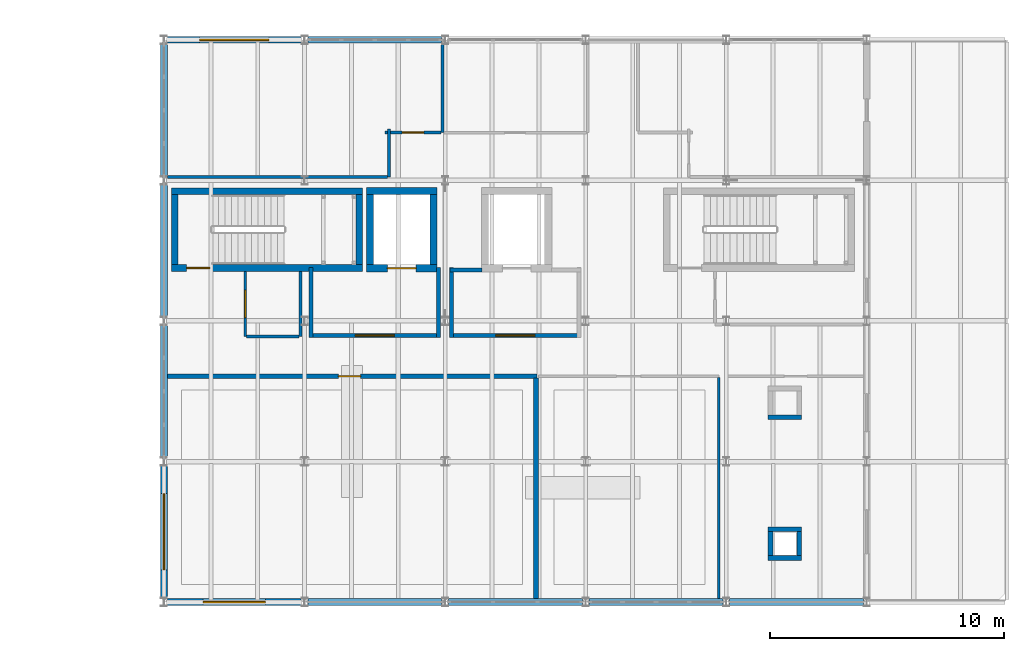
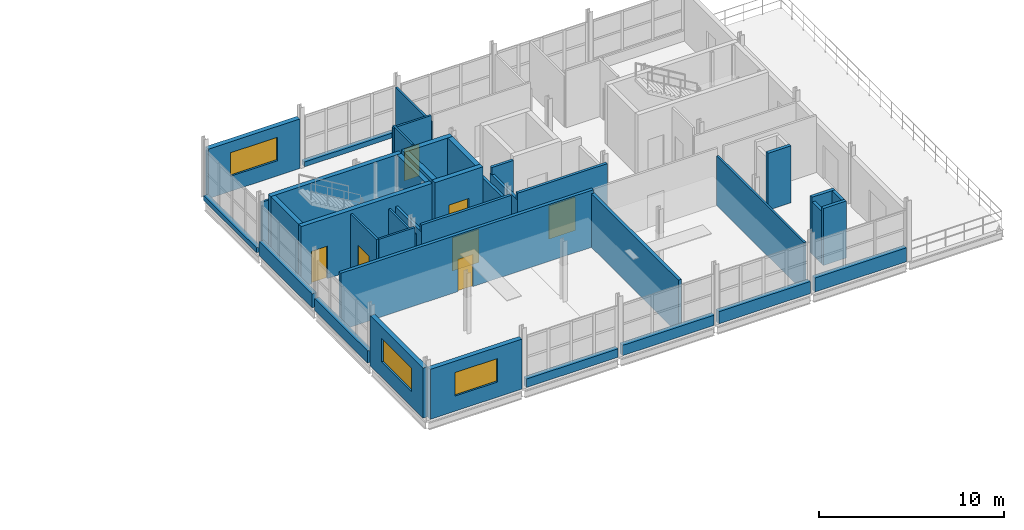
# One storey, part 18 of 23: 40 walls, 7 doors, 3 windows, 10 openings.
"""IFC4 building model written with IfcOpenShell, lengths in metres."""

from ifc_helpers import new_model, si_unit, direction, frame, frame_2d, origin, place, context, subcontext, project, spatial, rectangle, extrude, material, layer, layer_set, type_object, element, fill, save


model = new_model("IFC4")

# Units and contexts
model_context = context("Model", 3, precision=1e-05, world=origin(), true_north=direction((0.0, 1.0)))
body_context = subcontext(model_context, "Body", "Model", "MODEL_VIEW")
ifc_project = project(units=[si_unit("LENGTHUNIT", "METRE"), si_unit("AREAUNIT", "SQUARE_METRE"), si_unit("VOLUMEUNIT", "CUBIC_METRE"), si_unit("PLANEANGLEUNIT", "RADIAN"), si_unit("MASSUNIT", "GRAM", prefix="KILO")], contexts=[model_context])

# Site, building, storey
site_placement = place(None, origin())
site = spatial("IfcSite", under=ifc_project, at=site_placement, CompositionType="ELEMENT")
building_placement = place(site_placement, origin())
building = spatial("IfcBuilding", under=site, at=building_placement, Name="Siltcreek Boulevard Central Fire Station", CompositionType="ELEMENT")
storey_placement = place(building_placement, frame((0.0, 0.0, 14.0)))
storey = spatial("IfcBuildingStorey", under=building, at=storey_placement, Name="L04", CompositionType="ELEMENT", Elevation=14.0)

# Wall, opening, door
ifc_material_1 = material(Name="Concrete C40/50", Category="concrete")
ifc_layer_1 = layer(ifc_material_1, 0.280029296875, Name="Concrete C40/50")
ifc_layer_set_1 = layer_set([ifc_layer_1], Name="Concrete C40/50")
wall_type_1 = type_object("IfcWallType", Name="CW_SHEAR280", PredefinedType="SHEAR", material=ifc_layer_set_1)
wall_1_placement = place(storey_placement, frame((124.52001953125, 102.4599609375, 0.0), z_axis=(0.0, 0.0, 1.0), x_axis=(1.0, 0.0, 0.0)))
wall_1 = element("IfcWall", 1, at=wall_1_placement, inside=storey, type_object=wall_type_1, Name="L04 ST-V5A stair enclosure south shear wall", PredefinedType="SHEAR", context=body_context, shape_type="SweptSolid", body=[
    extrude(rectangle(XDim=8.159912109375, YDim=0.280029296875, at=frame_2d((4.080078125, 0.0))), origin(), (0.0, 0.0, 1.0), 4.0),
])
opening_1_placement = place(wall_1_placement, frame((0.64990234375, 0.0, 0.0)))
opening_1 = element("IfcOpeningElement", 2, at=opening_1_placement, cuts=wall_1, Name="Opening SD-036", PredefinedType="OPENING", context=body_context, shape_type="SweptSolid", body=[
    extrude(rectangle(XDim=0.97998046875, YDim=2.14990234375, at=frame_2d((0.489990234375, 1.074951171875))), frame((0.0, 0.14990234375, 0.0), z_axis=(0.0, -1.0, 0.0), x_axis=(1.0, 0.0, 0.0)), (0.0, 0.0, 1.0), 0.300048828125),
])
ifc_material_2 = material(Name="Hollow metal 90-min enclosed stair door")
door_type_1 = type_object("IfcDoorType", Name="DR_ST_098X215", OperationType="NOTDEFINED", PredefinedType="DOOR", material=ifc_material_2)
door_1_placement = place(opening_1_placement, origin())
door_1 = element("IfcDoor", 3, at=door_1_placement, inside=storey, type_object=door_type_1, Name="L04 ST-V5A enclosed exit stair door SD-036", OperationType="SINGLE_SWING_LEFT", OverallHeight=2.14990234375, OverallWidth=0.97998046875, PredefinedType="DOOR", context=body_context, shape_type="SweptSolid", body=[
    extrude(rectangle(XDim=0.97998046875, YDim=2.14990234375, at=frame_2d((0.489990234375, 1.074951171875))), frame((0.0, 0.02490234375, 0.0), z_axis=(0.0, -1.0, 0.0), x_axis=(1.0, 0.0, 0.0)), (0.0, 0.0, 1.0), 0.050048828125),
])
fill(opening_1, door_1)

# Walls
wall_2_placement = place(storey_placement, frame((132.679931640625, 105.739990234375, 0.0), z_axis=(0.0, 0.0, 1.0), x_axis=(-1.0, 0.0, 0.0)))
element("IfcWall", 4, at=wall_2_placement, inside=storey, type_object=wall_type_1, Name="L04 ST-V5A stair enclosure north shear wall", PredefinedType="SHEAR", context=body_context, shape_type="SweptSolid", body=[
    extrude(rectangle(XDim=8.159912109375, YDim=0.280029296875, at=frame_2d((4.080078125, 0.0))), origin(), (0.0, 0.0, 1.0), 4.0),
])
for number, where, z_axis, x_axis, name in (
    (5, (124.659912109375, 105.60009765625, 0.0), (0.0, 0.0, 1.0), (0.0, -1.0, 0.0), "L04 ST-V5A stair enclosure west shear wall"),
    (6, (132.5400390625, 102.60009765625, 0.0), (0.0, 0.0, 1.0), (0.0, 1.0, 0.0), "L04 ST-V5A stair enclosure east shear wall"),
):
    element("IfcWall", number, at=place(storey_placement, frame(where, z_axis=z_axis, x_axis=x_axis)), inside=storey, type_object=wall_type_1, Name=name, PredefinedType="SHEAR", context=body_context, shape_type="SweptSolid", body=[
        extrude(rectangle(XDim=3.0, YDim=0.280029296875, at=frame_2d((1.5, 0.0))), origin(), (0.0, 0.0, 1.0), 4.0),
    ])

# Wall, opening, door
ifc_layer_2 = layer(ifc_material_1, 0.304931640625, Name="Concrete C40/50")
ifc_layer_set_2 = layer_set([ifc_layer_2], Name="Concrete C40/50")
wall_type_2 = type_object("IfcWallType", Name="CW_SHEAR305", PredefinedType="SHEAR", material=ifc_layer_set_2)
wall_3_placement = place(storey_placement, frame((132.844970703125, 102.447509765625, 0.0), z_axis=(0.0, 0.0, 1.0), x_axis=(1.0, 0.0, 0.0)))
wall_3 = element("IfcWall", 7, at=wall_3_placement, inside=storey, type_object=wall_type_2, Name="L04 EL-01 elevator shaft south shear wall", PredefinedType="SHEAR", context=body_context, shape_type="SweptSolid", body=[
    extrude(rectangle(XDim=3.010009765625, YDim=0.304931640625, at=frame_2d((1.5048828125, 0.0))), origin(), (0.0, 0.0, 1.0), 4.0),
])
opening_2_placement = place(wall_3_placement, frame((0.89501953125, 0.0, 0.0)))
opening_2 = element("IfcOpeningElement", 8, at=opening_2_placement, cuts=wall_3, Name="Opening LD02", PredefinedType="OPENING", context=body_context, shape_type="SweptSolid", body=[
    extrude(rectangle(XDim=1.219970703125, YDim=2.219970703125, at=frame_2d((0.60986328125, 1.10986328125))), frame((0.0, 0.162353515625, 0.0), z_axis=(0.0, -1.0, 0.0), x_axis=(1.0, 0.0, 0.0)), (0.0, 0.0, 1.0), 0.324951171875),
])
ifc_material_3 = material(Name="Stainless steel firefighting sliding elevator landing door", Category="steel")
door_type_2 = type_object("IfcDoorType", Name="DR_LD_122X222", OperationType="NOTDEFINED", PredefinedType="DOOR", material=ifc_material_3)
door_2_placement = place(opening_2_placement, origin())
door_2 = element("IfcDoor", 9, at=door_2_placement, inside=storey, type_object=door_type_2, Name="L04 EL-01 elevator sliding landing door LD-05", OperationType="SLIDING_TO_LEFT", OverallHeight=2.219970703125, OverallWidth=1.219970703125, PredefinedType="DOOR", context=body_context, shape_type="SweptSolid", body=[
    extrude(rectangle(XDim=1.219970703125, YDim=2.219970703125, at=frame_2d((0.60986328125, 1.10986328125))), frame((0.0, 0.02490234375, 0.0), z_axis=(0.0, -1.0, 0.0), x_axis=(1.0, 0.0, 0.0)), (0.0, 0.0, 1.0), 0.050048828125),
])
fill(opening_2, door_2)

# Walls
wall_4_placement = place(storey_placement, frame((135.85498046875, 105.75244140625, 0.0), z_axis=(0.0, 0.0, 1.0), x_axis=(-1.0, 0.0, 0.0)))
element("IfcWall", 10, at=wall_4_placement, inside=storey, type_object=wall_type_2, Name="L04 EL-01 elevator shaft north shear wall", PredefinedType="SHEAR", context=body_context, shape_type="SweptSolid", body=[
    extrude(rectangle(XDim=3.010009765625, YDim=0.304931640625, at=frame_2d((1.5048828125, 0.0))), origin(), (0.0, 0.0, 1.0), 4.0),
])
for number, where, z_axis, x_axis, name in (
    (11, (132.99755859375, 105.60009765625, 0.0), (0.0, 0.0, 1.0), (0.0, -1.0, 0.0), "L04 EL-01 elevator shaft west shear wall"),
    (12, (135.702392578125, 102.60009765625, 0.0), (0.0, 0.0, 1.0), (0.0, 1.0, 0.0), "L04 EL-01 elevator shaft east shear wall"),
):
    element("IfcWall", number, at=place(storey_placement, frame(where, z_axis=z_axis, x_axis=x_axis)), inside=storey, type_object=wall_type_2, Name=name, PredefinedType="SHEAR", context=body_context, shape_type="SweptSolid", body=[
        extrude(rectangle(XDim=3.0, YDim=0.304931640625, at=frame_2d((1.5, 0.0))), origin(), (0.0, 0.0, 1.0), 4.0),
    ])

# Wall, opening, window
ifc_material_4 = material(Name="White ribbed aluminum spandrel wall", Category="aluminium")
ifc_layer_3 = layer(ifc_material_4, 0.2900390625, Name="White ribbed aluminum spandrel wall")
ifc_layer_set_3 = layer_set([ifc_layer_3], Name="White ribbed aluminum spandrel wall")
wall_type_3 = type_object("IfcWallType", Name="EW_METAL290", PredefinedType="STANDARD", material=ifc_layer_set_3)
wall_5_placement = place(storey_placement, frame((124.344970703125, 88.199951171875, 0.0), z_axis=(0.0, 0.0, 1.0), x_axis=(1.0, 0.0, 0.0)))
wall_5 = element("IfcWall", 13, at=wall_5_placement, inside=storey, type_object=wall_type_3, Name="L04 V5 exterior insulated rainscreen wall WL-EXT-L04-0395", PredefinedType="STANDARD", context=body_context, shape_type="SweptSolid", body=[
    extrude(rectangle(XDim=5.7099609375, YDim=0.2900390625, at=frame_2d((2.85498046875, 0.0))), origin(), (0.0, 0.0, 1.0), 3.299072265625),
])
opening_3_placement = place(wall_5_placement, frame((1.530029296875, 0.0, 1.0)))
opening_3 = element("IfcOpeningElement", 14, at=opening_3_placement, cuts=wall_5, Name="Opening WN17", PredefinedType="OPENING", context=body_context, shape_type="SweptSolid", body=[
    extrude(rectangle(XDim=2.64990234375, YDim=1.550048828125, at=frame_2d((1.324951171875, 0.77490234375))), frame((0.0, 0.155029296875, 0.0), z_axis=(0.0, -1.0, 0.0), x_axis=(1.0, 0.0, 0.0)), (0.0, 0.0, 1.0), 0.31005859375),
])
ifc_material_5 = material(Name="Thermally broken aluminum frame with low-E insulated glass", Category="aluminium")
window_type_1 = type_object("IfcWindowType", Name="WN_PB_265X155", PartitioningType="SINGLE_PANEL", PredefinedType="WINDOW", material=ifc_material_5)
window_1_placement = place(opening_3_placement, origin())
window_1 = element("IfcWindow", 15, at=window_1_placement, inside=storey, type_object=window_type_1, Name="L04 V5 exterior window WN-0158", OverallHeight=1.550048828125, OverallWidth=2.64990234375, PartitioningType="SINGLE_PANEL", PredefinedType="WINDOW", context=body_context, shape_type="SweptSolid", body=[
    extrude(rectangle(XDim=2.64990234375, YDim=1.550048828125, at=frame_2d((1.324951171875, 0.77490234375))), frame((0.0, 0.030029296875, 0.0), z_axis=(0.0, -1.0, 0.0), x_axis=(1.0, 0.0, 0.0)), (0.0, 0.0, 1.0), 0.06005859375),
])
fill(opening_3, window_1)

# Walls
wall_6_placement = place(storey_placement, frame((130.344970703125, 88.199951171875, 0.0), z_axis=(0.0, 0.0, 1.0), x_axis=(1.0, 0.0, 0.0)))
element("IfcWall", 16, at=wall_6_placement, inside=storey, type_object=wall_type_3, Name="L04 V5 curtain-wall sill spandrel 0396", PredefinedType="STANDARD", context=body_context, shape_type="SweptSolid", body=[
    extrude(rectangle(XDim=5.7099609375, YDim=0.2900390625, at=frame_2d((2.85498046875, 0.0))), origin(), (0.0, 0.0, 1.0), 0.56005859375),
])
wall_7_placement = place(storey_placement, frame((136.344970703125, 88.199951171875, 0.0), z_axis=(0.0, 0.0, 1.0), x_axis=(1.0, 0.0, 0.0)))
element("IfcWall", 17, at=wall_7_placement, inside=storey, type_object=wall_type_3, Name="L04 V5 curtain-wall sill spandrel 0397", PredefinedType="STANDARD", context=body_context, shape_type="SweptSolid", body=[
    extrude(rectangle(XDim=5.7099609375, YDim=0.2900390625, at=frame_2d((2.85498046875, 0.0))), origin(), (0.0, 0.0, 1.0), 0.679931640625),
])
wall_8_placement = place(storey_placement, frame((142.344970703125, 88.199951171875, 0.0), z_axis=(0.0, 0.0, 1.0), x_axis=(1.0, 0.0, 0.0)))
element("IfcWall", 18, at=wall_8_placement, inside=storey, type_object=wall_type_3, Name="L04 V5 curtain-wall sill spandrel 0398", PredefinedType="STANDARD", context=body_context, shape_type="SweptSolid", body=[
    extrude(rectangle(XDim=5.7099609375, YDim=0.2900390625, at=frame_2d((2.85498046875, 0.0))), origin(), (0.0, 0.0, 1.0), 0.800048828125),
])
wall_9_placement = place(storey_placement, frame((148.344970703125, 88.199951171875, 0.0), z_axis=(0.0, 0.0, 1.0), x_axis=(1.0, 0.0, 0.0)))
element("IfcWall", 19, at=wall_9_placement, inside=storey, type_object=wall_type_3, Name="L04 V5 curtain-wall sill spandrel 0399", PredefinedType="STANDARD", context=body_context, shape_type="SweptSolid", body=[
    extrude(rectangle(XDim=5.7099609375, YDim=0.2900390625, at=frame_2d((2.85498046875, 0.0))), origin(), (0.0, 0.0, 1.0), 0.919921875),
])

# Wall, opening, window
wall_10_placement = place(storey_placement, frame((130.054931640625, 112.199951171875, 0.0), z_axis=(0.0, 0.0, 1.0), x_axis=(-1.0, 0.0, 0.0)))
wall_10 = element("IfcWall", 20, at=wall_10_placement, inside=storey, type_object=wall_type_3, Name="L04 V5 exterior insulated rainscreen wall WL-EXT-L04-0400", PredefinedType="STANDARD", context=body_context, shape_type="SweptSolid", body=[
    extrude(rectangle(XDim=5.7099609375, YDim=0.2900390625, at=frame_2d((2.85498046875, 0.0))), origin(), (0.0, 0.0, 1.0), 3.26904296875),
])
opening_4_placement = place(wall_10_placement, frame((1.3798828125, 0.0, 1.0)))
opening_4 = element("IfcOpeningElement", 21, at=opening_4_placement, cuts=wall_10, Name="Opening WN18", PredefinedType="OPENING", context=body_context, shape_type="SweptSolid", body=[
    extrude(rectangle(XDim=2.949951171875, YDim=1.550048828125, at=frame_2d((1.47509765625, 0.77490234375))), frame((0.0, 0.155029296875, 0.0), z_axis=(0.0, -1.0, 0.0), x_axis=(1.0, 0.0, 0.0)), (0.0, 0.0, 1.0), 0.31005859375),
])
window_type_2 = type_object("IfcWindowType", Name="WN_PB_295X155", PartitioningType="SINGLE_PANEL", PredefinedType="WINDOW", material=ifc_material_5)
window_2_placement = place(opening_4_placement, origin())
window_2 = element("IfcWindow", 22, at=window_2_placement, inside=storey, type_object=window_type_2, Name="L04 V5 exterior window WN-0159", OverallHeight=1.550048828125, OverallWidth=2.949951171875, PartitioningType="SINGLE_PANEL", PredefinedType="WINDOW", context=body_context, shape_type="SweptSolid", body=[
    extrude(rectangle(XDim=2.949951171875, YDim=1.550048828125, at=frame_2d((1.47509765625, 0.77490234375))), frame((0.0, 0.030029296875, 0.0), z_axis=(0.0, -1.0, 0.0), x_axis=(1.0, 0.0, 0.0)), (0.0, 0.0, 1.0), 0.06005859375),
])
fill(opening_4, window_2)

# Wall
wall_11_placement = place(storey_placement, frame((136.054931640625, 112.199951171875, 0.0), z_axis=(0.0, 0.0, 1.0), x_axis=(-1.0, 0.0, 0.0)))
element("IfcWall", 23, at=wall_11_placement, inside=storey, type_object=wall_type_3, Name="L04 V5 curtain-wall sill spandrel 0401", PredefinedType="STANDARD", context=body_context, shape_type="SweptSolid", body=[
    extrude(rectangle(XDim=5.7099609375, YDim=0.2900390625, at=frame_2d((2.85498046875, 0.0))), origin(), (0.0, 0.0, 1.0), 0.320068359375),
])

# Wall, opening, window
wall_12_placement = place(storey_placement, frame((124.199951171875, 94.054931640625, 0.0), z_axis=(0.0, 0.0, 1.0), x_axis=(0.0, -1.0, 0.0)))
wall_12 = element("IfcWall", 24, at=wall_12_placement, inside=storey, type_object=wall_type_3, Name="L04 V5 exterior insulated rainscreen wall WL-EXT-L04-0405", PredefinedType="STANDARD", context=body_context, shape_type="SweptSolid", body=[
    extrude(rectangle(XDim=5.7099609375, YDim=0.2900390625, at=frame_2d((2.85498046875, 0.0))), origin(), (0.0, 0.0, 1.0), 3.302978515625),
])
opening_5_placement = place(wall_12_placement, frame((1.22998046875, 0.0, 1.0)))
opening_5 = element("IfcOpeningElement", 25, at=opening_5_placement, cuts=wall_12, Name="Opening WN19", PredefinedType="OPENING", context=body_context, shape_type="SweptSolid", body=[
    extrude(rectangle(XDim=3.25, YDim=1.550048828125, at=frame_2d((1.625, 0.77490234375))), frame((0.0, 0.155029296875, 0.0), z_axis=(0.0, -1.0, 0.0), x_axis=(1.0, 0.0, 0.0)), (0.0, 0.0, 1.0), 0.31005859375),
])
window_type_3 = type_object("IfcWindowType", Name="WN_PB_325X155", PartitioningType="SINGLE_PANEL", PredefinedType="WINDOW", material=ifc_material_5)
window_3_placement = place(opening_5_placement, origin())
window_3 = element("IfcWindow", 26, at=window_3_placement, inside=storey, type_object=window_type_3, Name="L04 V5 exterior window WN-0160", OverallHeight=1.550048828125, OverallWidth=3.25, PartitioningType="SINGLE_PANEL", PredefinedType="WINDOW", context=body_context, shape_type="SweptSolid", body=[
    extrude(rectangle(XDim=3.25, YDim=1.550048828125, at=frame_2d((1.625, 0.77490234375))), frame((0.0, 0.030029296875, 0.0), z_axis=(0.0, -1.0, 0.0), x_axis=(1.0, 0.0, 0.0)), (0.0, 0.0, 1.0), 0.06005859375),
])
fill(opening_5, window_3)

# Walls
wall_13_placement = place(storey_placement, frame((124.199951171875, 100.054931640625, 0.0), z_axis=(0.0, 0.0, 1.0), x_axis=(0.0, -1.0, 0.0)))
element("IfcWall", 27, at=wall_13_placement, inside=storey, type_object=wall_type_3, Name="L04 V5 curtain-wall sill spandrel 0406", PredefinedType="STANDARD", context=body_context, shape_type="SweptSolid", body=[
    extrude(rectangle(XDim=5.7099609375, YDim=0.2900390625, at=frame_2d((2.85498046875, 0.0))), origin(), (0.0, 0.0, 1.0), 0.800048828125),
])
wall_14_placement = place(storey_placement, frame((124.199951171875, 106.054931640625, 0.0), z_axis=(0.0, 0.0, 1.0), x_axis=(0.0, -1.0, 0.0)))
element("IfcWall", 28, at=wall_14_placement, inside=storey, type_object=wall_type_3, Name="L04 V5 curtain-wall sill spandrel 0407", PredefinedType="STANDARD", context=body_context, shape_type="SweptSolid", body=[
    extrude(rectangle(XDim=5.7099609375, YDim=0.2900390625, at=frame_2d((2.85498046875, 0.0))), origin(), (0.0, 0.0, 1.0), 0.919921875),
])
wall_15_placement = place(storey_placement, frame((124.199951171875, 112.054931640625, 0.0), z_axis=(0.0, 0.0, 1.0), x_axis=(0.0, -1.0, 0.0)))
element("IfcWall", 29, at=wall_15_placement, inside=storey, type_object=wall_type_3, Name="L04 V5 curtain-wall sill spandrel 0408", PredefinedType="STANDARD", context=body_context, shape_type="SweptSolid", body=[
    extrude(rectangle(XDim=5.7099609375, YDim=0.2900390625, at=frame_2d((2.85498046875, 0.0))), origin(), (0.0, 0.0, 1.0), 0.320068359375),
])
ifc_material_6 = material(Name="Fire-rated concrete masonry and gypsum barrier", Category="masonry")
ifc_layer_4 = layer(ifc_material_6, 0.199951171875, Name="Fire-rated concrete masonry and gypsum barrier")
ifc_layer_set_4 = layer_set([ifc_layer_4], Name="Fire-rated concrete masonry and gypsum barrier")
wall_type_4 = type_object("IfcWallType", Name="IW_FIRE200", PredefinedType="PARTITIONING", material=ifc_layer_set_4)
wall_16_placement = place(storey_placement, frame((149.985107421875, 90.0849609375, 0.0), z_axis=(0.0, 0.0, 1.0), x_axis=(1.0, 0.0, 0.0)))
element("IfcWall", 30, at=wall_16_placement, inside=storey, type_object=wall_type_4, Name="L04 enclosed MEP service riser wall 028-S", PredefinedType="PARTITIONING", context=body_context, shape_type="SweptSolid", body=[
    extrude(rectangle(XDim=1.429931640625, YDim=0.199951171875, at=frame_2d((0.71484375, 0.0))), origin(), (0.0, 0.0, 1.0), 3.760009765625),
])
wall_17_placement = place(storey_placement, frame((151.31494140625, 90.18505859375, 0.0), z_axis=(0.0, 0.0, 1.0), x_axis=(0.0, 1.0, 0.0)))
element("IfcWall", 31, at=wall_17_placement, inside=storey, type_object=wall_type_4, Name="L04 enclosed MEP service riser wall 028-E", PredefinedType="PARTITIONING", context=body_context, shape_type="SweptSolid", body=[
    extrude(rectangle(XDim=1.030029296875, YDim=0.199951171875, at=frame_2d((0.51513671875, 0.0))), origin(), (0.0, 0.0, 1.0), 3.760009765625),
])
wall_18_placement = place(storey_placement, frame((151.4150390625, 91.31494140625, 0.0), z_axis=(0.0, 0.0, 1.0), x_axis=(-1.0, 0.0, 0.0)))
element("IfcWall", 32, at=wall_18_placement, inside=storey, type_object=wall_type_4, Name="L04 enclosed MEP service riser wall 028-N", PredefinedType="PARTITIONING", context=body_context, shape_type="SweptSolid", body=[
    extrude(rectangle(XDim=1.429931640625, YDim=0.199951171875, at=frame_2d((0.71484375, 0.0))), origin(), (0.0, 0.0, 1.0), 3.760009765625),
])
wall_19_placement = place(storey_placement, frame((150.0849609375, 91.215087890625, 0.0), z_axis=(0.0, 0.0, 1.0), x_axis=(0.0, -1.0, 0.0)))
element("IfcWall", 33, at=wall_19_placement, inside=storey, type_object=wall_type_4, Name="L04 enclosed MEP service riser wall 028-W", PredefinedType="PARTITIONING", context=body_context, shape_type="SweptSolid", body=[
    extrude(rectangle(XDim=1.030029296875, YDim=0.199951171875, at=frame_2d((0.51513671875, 0.0))), origin(), (0.0, 0.0, 1.0), 3.448974609375),
])
wall_20_placement = place(storey_placement, frame((149.985107421875, 96.0849609375, 0.0), z_axis=(0.0, 0.0, 1.0), x_axis=(1.0, 0.0, 0.0)))
element("IfcWall", 34, at=wall_20_placement, inside=storey, type_object=wall_type_4, Name="L04 enclosed MEP service riser wall 029-S", PredefinedType="PARTITIONING", context=body_context, shape_type="SweptSolid", body=[
    extrude(rectangle(XDim=1.429931640625, YDim=0.199951171875, at=frame_2d((0.71484375, 0.0))), origin(), (0.0, 0.0, 1.0), 3.760009765625),
])

# Wall, opening, door
wall_21_placement = place(storey_placement, frame((124.344970703125, 97.840087890625, 0.0), z_axis=(0.0, 0.0, 1.0), x_axis=(1.0, 0.0, 0.0)))
wall_21 = element("IfcWall", 35, at=wall_21_placement, inside=storey, type_object=wall_type_4, Name="L04 Fire Alarm 911 Dispatch Floor partition 0307", PredefinedType="PARTITIONING", context=body_context, shape_type="SweptSolid", body=[
    extrude(rectangle(XDim=15.775146484375, YDim=0.199951171875, at=frame_2d((7.8876953125, 0.0))), origin(), (0.0, 0.0, 1.0), 3.760009765625),
])
opening_6_placement = place(wall_21_placement, frame((7.30078125, 0.0, 0.0)))
opening_6 = element("IfcOpeningElement", 36, at=opening_6_placement, cuts=wall_21, Name="Opening ID05", PredefinedType="OPENING", context=body_context, shape_type="SweptSolid", body=[
    extrude(rectangle(XDim=0.949951171875, YDim=2.1201171875, at=frame_2d((0.47509765625, 1.06005859375))), frame((0.0, 0.10986328125, 0.0), z_axis=(0.0, -1.0, 0.0), x_axis=(1.0, 0.0, 0.0)), (0.0, 0.0, 1.0), 0.219970703125),
])
ifc_material_7 = material(Name="STC-45 officer bunk suite door")
door_type_3 = type_object("IfcDoorType", Name="DR_OFS_095X212", OperationType="NOTDEFINED", PredefinedType="DOOR", material=ifc_material_7)
door_3_placement = place(opening_6_placement, frame((0.949951171875, 0.0, 0.0), z_axis=(0.0, 0.0, 1.0), x_axis=(-1.0, 0.0, 0.0)))
door_3 = element("IfcDoor", 37, at=door_3_placement, inside=storey, type_object=door_type_3, Name="L04 Fire Alarm 911 Dispatch Floor door ID-0136", OperationType="SINGLE_SWING_LEFT", OverallHeight=2.1201171875, OverallWidth=0.949951171875, PredefinedType="DOOR", context=body_context, shape_type="SweptSolid", body=[
    extrude(rectangle(XDim=0.949951171875, YDim=2.1201171875, at=frame_2d((0.47509765625, 1.06005859375))), frame((0.0, 0.02490234375, 0.0), z_axis=(0.0, -1.0, 0.0), x_axis=(1.0, 0.0, 0.0)), (0.0, 0.0, 1.0), 0.050048828125),
])
fill(opening_6, door_3)

# Walls
wall_22_placement = place(storey_placement, frame((140.080078125, 97.760009765625, 0.0), z_axis=(0.0, 0.0, 1.0), x_axis=(0.0, -1.0, 0.0)))
element("IfcWall", 38, at=wall_22_placement, inside=storey, type_object=wall_type_4, Name="L04 Fire Alarm 911 Dispatch Floor partition 0308", PredefinedType="PARTITIONING", context=body_context, shape_type="SweptSolid", body=[
    extrude(rectangle(XDim=9.4150390625, YDim=0.199951171875, at=frame_2d((4.70751953125, 0.0))), origin(), (0.0, 0.0, 1.0), 3.531005859375),
])
ifc_material_8 = material(Name="Interior steel stud gypsum partition", Category="steel")
ifc_layer_5 = layer(ifc_material_8, 0.125, Name="Interior steel stud gypsum partition")
ifc_layer_set_5 = layer_set([ifc_layer_5], Name="Interior steel stud gypsum partition")
wall_type_5 = type_object("IfcWallType", Name="IW_PART125", PredefinedType="PARTITIONING", material=ifc_layer_set_5)
wall_23_placement = place(storey_placement, frame((147.8798828125, 97.777587890625, 0.0), z_axis=(0.0, 0.0, 1.0), x_axis=(0.0, -1.0, 0.0)))
element("IfcWall", 39, at=wall_23_placement, inside=storey, type_object=wall_type_5, Name="L04 Tactical CAD Operations Room partition 0310", PredefinedType="PARTITIONING", context=body_context, shape_type="SweptSolid", body=[
    extrude(rectangle(XDim=9.4326171875, YDim=0.125, at=frame_2d((4.71630859375, 0.0))), origin(), (0.0, 0.0, 1.0), 3.27294921875),
])
wall_24_placement = place(storey_placement, frame((136.080078125, 112.054931640625, 0.0), z_axis=(0.0, 0.0, 1.0), x_axis=(0.0, -1.0, 0.0)))
element("IfcWall", 40, at=wall_24_placement, inside=storey, type_object=wall_type_5, Name="L04 Dispatch Quiet Recovery Room partition 0312", PredefinedType="PARTITIONING", context=body_context, shape_type="SweptSolid", body=[
    extrude(rectangle(XDim=3.8173828125, YDim=0.125, at=frame_2d((1.90869140625, 0.0))), origin(), (0.0, 0.0, 1.0), 3.27294921875),
])

# Wall, opening, door
wall_25_placement = place(storey_placement, frame((136.017578125, 108.239990234375, 0.0), z_axis=(0.0, 0.0, 1.0), x_axis=(-1.0, 0.0, 0.0)))
wall_25 = element("IfcWall", 41, at=wall_25_placement, inside=storey, type_object=wall_type_5, Name="L04 Dispatch Quiet Recovery Room partition 0313", PredefinedType="PARTITIONING", context=body_context, shape_type="SweptSolid", body=[
    extrude(rectangle(XDim=2.380126953125, YDim=0.125, at=frame_2d((1.18994140625, 0.0))), origin(), (0.0, 0.0, 1.0), 3.760009765625),
])
opening_7_placement = place(wall_25_placement, frame((0.72509765625, 0.0, 0.0)))
opening_7 = element("IfcOpeningElement", 42, at=opening_7_placement, cuts=wall_25, Name="Opening ID03", PredefinedType="OPENING", context=body_context, shape_type="SweptSolid", body=[
    extrude(rectangle(XDim=0.929931640625, YDim=2.10009765625, at=frame_2d((0.46484375, 1.050048828125))), frame((0.0, 0.072509765625, 0.0), z_axis=(0.0, -1.0, 0.0), x_axis=(1.0, 0.0, 0.0)), (0.0, 0.0, 1.0), 0.14501953125),
])
ifc_material_9 = material(Name="Solid-core timber station office door", Category="wood")
door_type_4 = type_object("IfcDoorType", Name="DR_OFF_093X210", OperationType="NOTDEFINED", PredefinedType="DOOR", material=ifc_material_9)
door_4_placement = place(opening_7_placement, frame((0.929931640625, 0.0, 0.0), z_axis=(0.0, 0.0, 1.0), x_axis=(-1.0, 0.0, 0.0)))
door_4 = element("IfcDoor", 43, at=door_4_placement, inside=storey, type_object=door_type_4, Name="L04 Dispatch Quiet Recovery Room door ID-0139", OperationType="SINGLE_SWING_RIGHT", OverallHeight=2.10009765625, OverallWidth=0.929931640625, PredefinedType="DOOR", context=body_context, shape_type="SweptSolid", body=[
    extrude(rectangle(XDim=0.929931640625, YDim=2.10009765625, at=frame_2d((0.46484375, 1.050048828125))), frame((0.0, 0.02490234375, 0.0), z_axis=(0.0, -1.0, 0.0), x_axis=(1.0, 0.0, 0.0)), (0.0, 0.0, 1.0), 0.050048828125),
])
fill(opening_7, door_4)

# Walls
wall_26_placement = place(storey_placement, frame((133.800048828125, 108.402587890625, 0.0), z_axis=(0.0, 0.0, 1.0), x_axis=(0.0, -1.0, 0.0)))
element("IfcWall", 44, at=wall_26_placement, inside=storey, type_object=wall_type_5, Name="L04 Dispatch Quiet Recovery Room partition 0314", PredefinedType="PARTITIONING", context=body_context, shape_type="SweptSolid", body=[
    extrude(rectangle(XDim=2.065185546875, YDim=0.125, at=frame_2d((1.03271484375, 0.0))), origin(), (0.0, 0.0, 1.0), 3.760009765625),
])
wall_27_placement = place(storey_placement, frame((133.737548828125, 106.340087890625, 0.0), z_axis=(0.0, 0.0, 1.0), x_axis=(-1.0, 0.0, 0.0)))
element("IfcWall", 45, at=wall_27_placement, inside=storey, type_object=wall_type_5, Name="L04 Dispatch Quiet Recovery Room partition 0315", PredefinedType="PARTITIONING", context=body_context, shape_type="SweptSolid", body=[
    extrude(rectangle(XDim=9.392578125, YDim=0.125, at=frame_2d((4.6962890625, 0.0))), origin(), (0.0, 0.0, 1.0), 3.26904296875),
])

# Wall, opening, door
wall_28_placement = place(storey_placement, frame((127.669921875, 99.53759765625, 0.0), z_axis=(0.0, 0.0, 1.0), x_axis=(0.0, 1.0, 0.0)))
wall_28 = element("IfcWall", 46, at=wall_28_placement, inside=storey, type_object=wall_type_5, Name="L04 Radio Console Supervision Office partition 0324", PredefinedType="PARTITIONING", context=body_context, shape_type="SweptSolid", body=[
    extrude(rectangle(XDim=2.782470703125, YDim=0.125, at=frame_2d((1.39111328125, 0.0))), origin(), (0.0, 0.0, 1.0), 3.760009765625),
])
opening_8_placement = place(wall_28_placement, frame((0.80126953125, 0.0, 0.0)))
opening_8 = element("IfcOpeningElement", 47, at=opening_8_placement, cuts=wall_28, Name="Opening ID13", PredefinedType="OPENING", context=body_context, shape_type="SweptSolid", body=[
    extrude(rectangle(XDim=1.179931640625, YDim=2.159912109375, at=frame_2d((0.58984375, 1.080078125))), frame((0.0, 0.072509765625, 0.0), z_axis=(0.0, -1.0, 0.0), x_axis=(1.0, 0.0, 0.0)), (0.0, 0.0, 1.0), 0.14501953125),
])
ifc_material_10 = material(Name="Antimicrobial walk-in triage door")
door_type_5 = type_object("IfcDoorType", Name="DR_MED_118X216", OperationType="NOTDEFINED", PredefinedType="DOOR", material=ifc_material_10)
door_5_placement = place(opening_8_placement, frame((1.179931640625, 0.0, 0.0), z_axis=(0.0, 0.0, 1.0), x_axis=(-1.0, 0.0, 0.0)))
door_5 = element("IfcDoor", 48, at=door_5_placement, inside=storey, type_object=door_type_5, Name="L04 Radio Console Supervision Office door ID-0143", OperationType="SINGLE_SWING_RIGHT", OverallHeight=2.159912109375, OverallWidth=1.179931640625, PredefinedType="DOOR", context=body_context, shape_type="SweptSolid", body=[
    extrude(rectangle(XDim=1.179931640625, YDim=2.159912109375, at=frame_2d((0.58984375, 1.080078125))), frame((0.0, 0.02490234375, 0.0), z_axis=(0.0, -1.0, 0.0), x_axis=(1.0, 0.0, 0.0)), (0.0, 0.0, 1.0), 0.050048828125),
])
fill(opening_8, door_5)

# Walls
wall_29_placement = place(storey_placement, frame((130.030029296875, 102.320068359375, 0.0), z_axis=(0.0, 0.0, 1.0), x_axis=(0.0, -1.0, 0.0)))
element("IfcWall", 49, at=wall_29_placement, inside=storey, type_object=wall_type_5, Name="L04 Radio Console Supervision Office partition 0325", PredefinedType="PARTITIONING", context=body_context, shape_type="SweptSolid", body=[
    extrude(rectangle(XDim=2.782470703125, YDim=0.125, at=frame_2d((1.39111328125, 0.0))), origin(), (0.0, 0.0, 1.0), 3.27294921875),
])
wall_30_placement = place(storey_placement, frame((129.967529296875, 99.5400390625, 0.0), z_axis=(0.0, 0.0, 1.0), x_axis=(-1.0, 0.0, 0.0)))
element("IfcWall", 50, at=wall_30_placement, inside=storey, type_object=wall_type_5, Name="L04 Radio Console Supervision Office partition 0326", PredefinedType="PARTITIONING", context=body_context, shape_type="SweptSolid", body=[
    extrude(rectangle(XDim=2.235107421875, YDim=0.125, at=frame_2d((1.11767578125, 0.0))), origin(), (0.0, 0.0, 1.0), 3.760009765625),
])
ifc_material_11 = material(Name="Acoustic smoke-barrier steel stud gypsum wall", Category="steel")
ifc_layer_6 = layer(ifc_material_11, 0.1650390625, Name="Acoustic smoke-barrier steel stud gypsum wall")
ifc_layer_set_6 = layer_set([ifc_layer_6], Name="Acoustic smoke-barrier steel stud gypsum wall")
wall_type_6 = type_object("IfcWallType", Name="IW_SMK165", PredefinedType="PARTITIONING", material=ifc_layer_set_6)
for number, where, z_axis, x_axis, name in (
    (51, (130.47998046875, 99.5, 0.0), (0.0, 0.0, 1.0), (0.0, 1.0, 0.0), "L04 EL-01 elevator lobby W smoke partition"),
    (52, (135.919921875, 102.487548828125, 0.0), (0.0, 0.0, 1.0), (0.0, -1.0, 0.0), "L04 EL-01 elevator lobby E smoke partition"),
):
    element("IfcWall", number, at=place(storey_placement, frame(where, z_axis=z_axis, x_axis=x_axis)), inside=storey, type_object=wall_type_6, Name=name, PredefinedType="PARTITIONING", context=body_context, shape_type="SweptSolid", body=[
        extrude(rectangle(XDim=2.987548828125, YDim=0.1650390625, at=frame_2d((1.49365234375, 0.0))), origin(), (0.0, 0.0, 1.0), 3.27294921875),
    ])

# Wall, opening, door
wall_31_placement = place(storey_placement, frame((130.39990234375, 99.580078125, 0.0), z_axis=(0.0, 0.0, 1.0), x_axis=(1.0, 0.0, 0.0)))
wall_31 = element("IfcWall", 53, at=wall_31_placement, inside=storey, type_object=wall_type_6, Name="L04 EL-01 elevator lobby south smoke partition", PredefinedType="PARTITIONING", context=body_context, shape_type="SweptSolid", body=[
    extrude(rectangle(XDim=5.60009765625, YDim=0.1650390625, at=frame_2d((2.800048828125, 0.0))), origin(), (0.0, 0.0, 1.0), 3.760009765625),
])
opening_9_placement = place(wall_31_placement, frame((1.969970703125, 0.0, 0.0)))
opening_9 = element("IfcOpeningElement", 54, at=opening_9_placement, cuts=wall_31, Name="Opening FD02", PredefinedType="OPENING", context=body_context, shape_type="SweptSolid", body=[
    extrude(rectangle(XDim=1.659912109375, YDim=2.199951171875, at=frame_2d((0.830078125, 1.10009765625))), frame((0.0, 0.092529296875, 0.0), z_axis=(0.0, -1.0, 0.0), x_axis=(1.0, 0.0, 0.0)), (0.0, 0.0, 1.0), 0.18505859375),
])
ifc_material_12 = material(Name="Hollow metal smoke-barrier elevator lobby pair")
door_type_6 = type_object("IfcDoorType", Name="DR_LOB_166X220", OperationType="NOTDEFINED", PredefinedType="DOOR", material=ifc_material_12)
door_6_placement = place(opening_9_placement, frame((1.659912109375, 0.0, 0.0), z_axis=(0.0, 0.0, 1.0), x_axis=(-1.0, 0.0, 0.0)))
door_6 = element("IfcDoor", 55, at=door_6_placement, inside=storey, type_object=door_type_6, Name="L04 EL-01 elevator lobby smoke door", OperationType="DOUBLE_DOOR_SINGLE_SWING", OverallHeight=2.199951171875, OverallWidth=1.659912109375, PredefinedType="DOOR", context=body_context, shape_type="SweptSolid", body=[
    extrude(rectangle(XDim=1.659912109375, YDim=2.199951171875, at=frame_2d((0.830078125, 1.10009765625))), frame((0.0, 0.02490234375, 0.0), z_axis=(0.0, -1.0, 0.0), x_axis=(1.0, 0.0, 0.0)), (0.0, 0.0, 1.0), 0.050048828125),
])
fill(opening_9, door_6)

# Walls
wall_32_placement = place(storey_placement, frame((136.47998046875, 99.5, 0.0), z_axis=(0.0, 0.0, 1.0), x_axis=(0.0, 1.0, 0.0)))
element("IfcWall", 56, at=wall_32_placement, inside=storey, type_object=wall_type_6, Name="L04 EL-02 elevator lobby W smoke partition", PredefinedType="PARTITIONING", context=body_context, shape_type="SweptSolid", body=[
    extrude(rectangle(XDim=2.987548828125, YDim=0.1650390625, at=frame_2d((1.49365234375, 0.0))), origin(), (0.0, 0.0, 1.0), 3.27294921875),
])
wall_33_placement = place(storey_placement, frame((136.39990234375, 102.375, 0.0), z_axis=(0.0, 0.0, 1.0), x_axis=(1.0, 0.0, 0.0)))
element("IfcWall", 57, at=wall_33_placement, inside=storey, type_object=wall_type_6, Name="L04 EL-02 elevator lobby NW smoke partition", PredefinedType="PARTITIONING", context=body_context, shape_type="SweptSolid", body=[
    extrude(rectangle(XDim=1.364990234375, YDim=0.1650390625, at=frame_2d((0.6826171875, 0.0))), origin(), (0.0, 0.0, 1.0), 3.760009765625),
])

# Wall, opening, door
wall_34_placement = place(storey_placement, frame((136.39990234375, 99.580078125, 0.0), z_axis=(0.0, 0.0, 1.0), x_axis=(1.0, 0.0, 0.0)))
wall_34 = element("IfcWall", 58, at=wall_34_placement, inside=storey, type_object=wall_type_6, Name="L04 EL-02 elevator lobby south smoke partition", PredefinedType="PARTITIONING", context=body_context, shape_type="SweptSolid", body=[
    extrude(rectangle(XDim=5.60009765625, YDim=0.1650390625, at=frame_2d((2.800048828125, 0.0))), origin(), (0.0, 0.0, 1.0), 3.760009765625),
])
opening_10_placement = place(wall_34_placement, frame((1.969970703125, 0.0, 0.0)))
opening_10 = element("IfcOpeningElement", 59, at=opening_10_placement, cuts=wall_34, Name="Opening FD02", PredefinedType="OPENING", context=body_context, shape_type="SweptSolid", body=[
    extrude(rectangle(XDim=1.659912109375, YDim=2.199951171875, at=frame_2d((0.830078125, 1.10009765625))), frame((0.0, 0.092529296875, 0.0), z_axis=(0.0, -1.0, 0.0), x_axis=(1.0, 0.0, 0.0)), (0.0, 0.0, 1.0), 0.18505859375),
])
door_7_placement = place(opening_10_placement, frame((1.659912109375, 0.0, 0.0), z_axis=(0.0, 0.0, 1.0), x_axis=(-1.0, 0.0, 0.0)))
door_7 = element("IfcDoor", 60, at=door_7_placement, inside=storey, type_object=door_type_6, Name="L04 EL-02 elevator lobby smoke door", OperationType="DOUBLE_DOOR_SINGLE_SWING", OverallHeight=2.199951171875, OverallWidth=1.659912109375, PredefinedType="DOOR", context=body_context, shape_type="SweptSolid", body=[
    extrude(rectangle(XDim=1.659912109375, YDim=2.199951171875, at=frame_2d((0.830078125, 1.10009765625))), frame((0.0, 0.02490234375, 0.0), z_axis=(0.0, -1.0, 0.0), x_axis=(1.0, 0.0, 0.0)), (0.0, 0.0, 1.0), 0.050048828125),
])
fill(opening_10, door_7)

save(model, "model.ifc")
